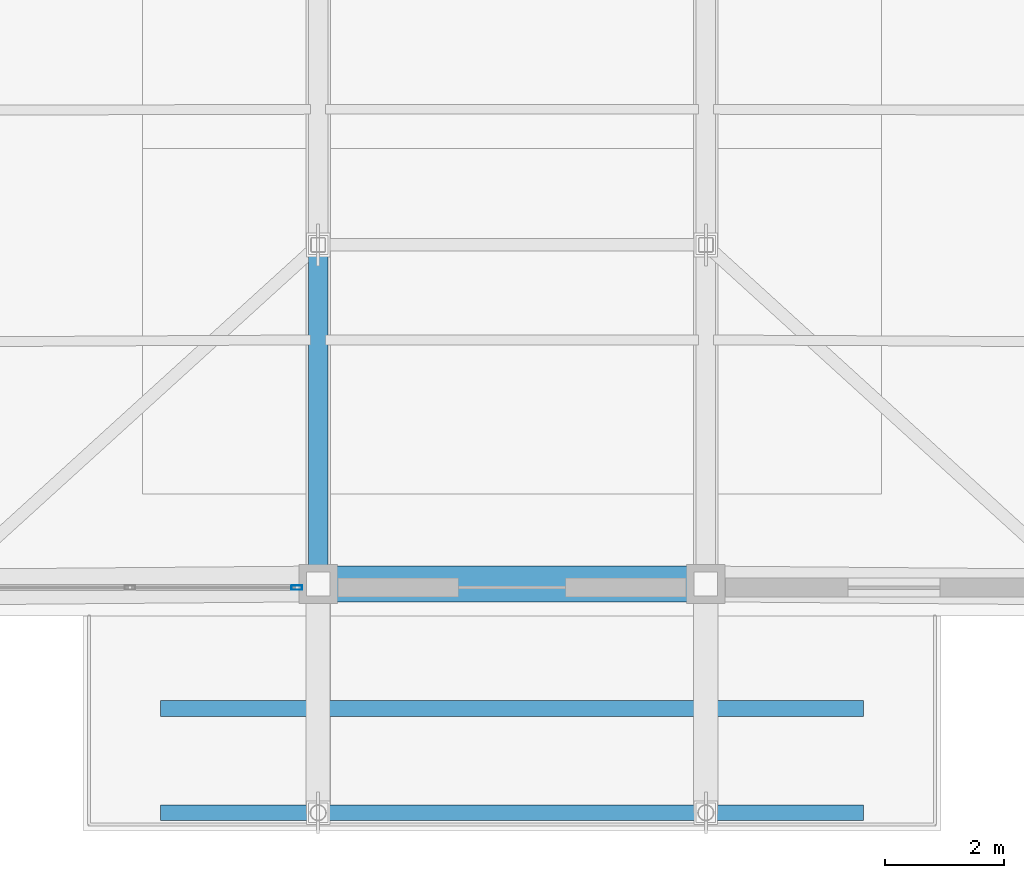
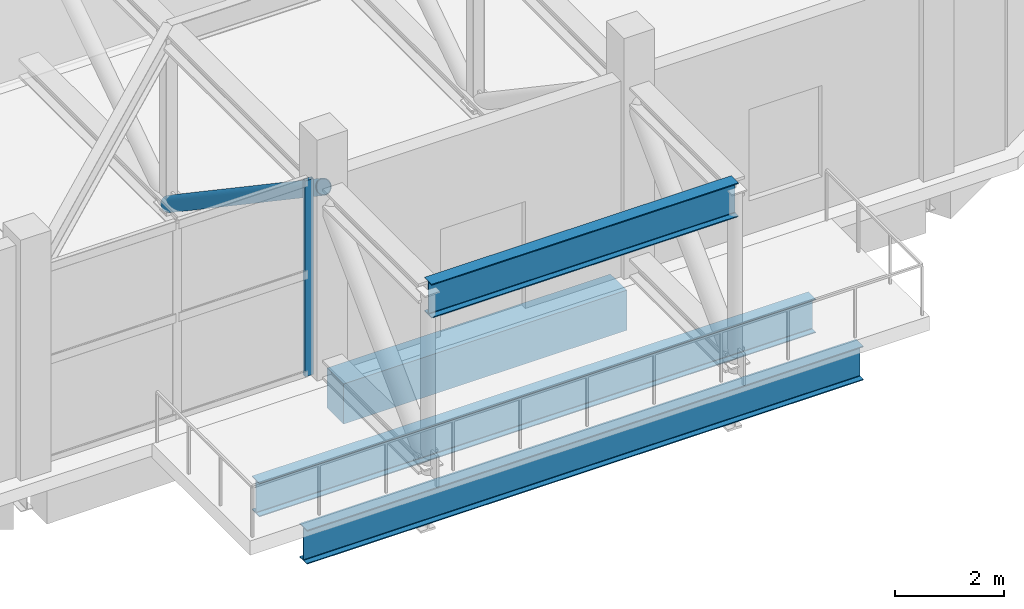
# One storey, part 5 of 23: 4 beams, 2 members, 1 element without a shape of its own.
"""IFC4 building model written with IfcOpenShell, lengths in metres."""

from ifc_helpers import new_model, si_unit, direction, frame, origin, origin_2d, place, context, subcontext, project, spatial, rectangle, hollow_rectangle, hollow_circle, i_section, extrude, material, layer, layer_set, material_profile, profile_set, type_object, element, aggregate, save


model = new_model("IFC4")

# Units and contexts
model_context = context("Model", 3, precision=1e-05, world=origin(), true_north=direction((0.0, 1.0)))
body_context = subcontext(model_context, "Body", "Model", "MODEL_VIEW")
ifc_project = project(units=[si_unit("LENGTHUNIT", "METRE"), si_unit("AREAUNIT", "SQUARE_METRE"), si_unit("VOLUMEUNIT", "CUBIC_METRE"), si_unit("PLANEANGLEUNIT", "RADIAN"), si_unit("MASSUNIT", "GRAM", prefix="KILO")], contexts=[model_context])

# Site, building, storey
site_placement = place(None, origin())
site = spatial("IfcSite", under=ifc_project, at=site_placement, CompositionType="ELEMENT")
building_placement = place(site_placement, origin())
building = spatial("IfcBuilding", under=site, at=building_placement, Name="Cinnabar Lancet Tower", CompositionType="ELEMENT")
storey_placement = place(building_placement, frame((0.0, 0.0, 278.10009765625)))
storey = spatial("IfcBuildingStorey", under=building, at=storey_placement, Name="L74", CompositionType="ELEMENT", Elevation=278.10009765625)

# Curtain wall, member
ifc_material_1 = material(Name="Thermally broken bronze-anodized aluminium and low-E glass", Category="aluminium")
ifc_layer = layer(ifc_material_1, 0.179931640625)
ifc_layer_set = layer_set([ifc_layer], Name="Thermally broken bronze-anodized aluminium and low-E glass")
curtain_wall_type = type_object("IfcCurtainWallType", Name="ENV-CW-SYS-04", PredefinedType="NOTDEFINED", material=ifc_layer_set)
curtain_wall_placement = place(storey_placement, origin())
curtain_wall = element("IfcCurtainWall", 1, at=curtain_wall_placement, inside=storey, type_object=curtain_wall_type, Name="L74 South Conservatory Curtain Wall", PredefinedType="NOTDEFINED")
ifc_material_2 = material(Name="Anodized architectural aluminium 6063-T6", Category="aluminium")
ifc_material_profile_1 = material_profile(ifc_material_2, hollow_rectangle(XDim=0.074951171875, YDim=0.179931640625, WallThickness=0.00390625, InnerFilletRadius=0.001953125, OuterFilletRadius=0.006103515625, at=origin_2d()), Name="CW-MUL 180x75x4")
ifc_profile_set_1 = profile_set([ifc_material_profile_1], Name="Anodized architectural aluminium 6063-T6")
member_type_1 = type_object("IfcMemberType", Name="ENV-CW-MUL-180", PredefinedType="MULLION", material=ifc_profile_set_1)
member_1_placement = place(storey_placement, frame((28.787109375, 7.22998046875, 0.0), z_axis=(0.0, 0.0, 1.0), x_axis=(0.0, 1.0, 0.0)))
member_1 = element("IfcMember", 2, at=member_1_placement, type_object=member_type_1, Name="CW-04 mullion 3", PredefinedType="MULLION", context=body_context, shape_type="SweptSolid", body=[
    extrude(hollow_rectangle(XDim=0.074951171875, YDim=0.179931640625, WallThickness=0.00390625, InnerFilletRadius=0.001953125, OuterFilletRadius=0.006103515625, at=origin_2d()), origin(), (0.0, 0.0, 1.0), 4.389892578125),
])
aggregate(curtain_wall, [member_1])

# Beams
ifc_material_3 = material(Name="Concrete C60/75", Category="concrete")
ifc_material_profile_2 = material_profile(ifc_material_3, rectangle(XDim=0.60009765625, YDim=0.89990234375, at=origin_2d()), Name="RC-SB 600x900")
ifc_profile_set_2 = profile_set([ifc_material_profile_2], Name="Concrete C60/75")
beam_type_1 = type_object("IfcBeamType", Name="STR-BM-RCSB-900", PredefinedType="SPANDREL", material=ifc_profile_set_2)
beam_1_placement = place(storey_placement, frame((29.39599609375, 7.2919921875, -0.72998046875), z_axis=(1.0, 0.0, 0.0), x_axis=(0.0, 1.0, 0.0)))
element("IfcBeam", 3, at=beam_1_placement, inside=storey, type_object=beam_type_1, Name="L74 Perimeter Spandrel 2", PredefinedType="SPANDREL", context=body_context, shape_type="SweptSolid", body=[
    extrude(rectangle(XDim=0.60009765625, YDim=0.89990234375, at=origin_2d()), origin(), (0.0, 0.0, 1.0), 6.008056640625),
])
ifc_material_4 = material(Name="Structural steel S355", Category="steel")
ifc_material_profile_3 = material_profile(ifc_material_4, i_section(OverallWidth=0.2666015625, OverallDepth=0.76220703125, WebThickness=0.014404296875, FlangeThickness=0.021484375, FilletRadius=0.0166015625, at=origin_2d()), Name="UKB 762x267x173")
ifc_profile_set_3 = profile_set([ifc_material_profile_3], Name="Structural steel S355")
beam_type_2 = type_object("IfcBeamType", Name="STR-BM-SP-FASCIA", PredefinedType="BEAM", material=ifc_profile_set_3)
for number, where, z_axis, x_axis, name in (
    (4, (26.5, 3.449951171875, -0.701171875), (1.0, 0.0, 0.0), (0.0, 1.0, 0.0), "L74 Sky-Pool Tip Fascia Girder"),
    (5, (26.5, 5.199951171875, -0.701171875), (1.0, 0.0, 0.0), (0.0, 1.0, 0.0), "L74 Sky-Pool Mid Transverse Girder"),
):
    element("IfcBeam", number, at=place(storey_placement, frame(where, z_axis=z_axis, x_axis=x_axis)), inside=storey, type_object=beam_type_2, Name=name, PredefinedType="BEAM", context=body_context, shape_type="SweptSolid", body=[
        extrude(i_section(OverallWidth=0.2666015625, OverallDepth=0.76220703125, WebThickness=0.014404296875, FlangeThickness=0.021484375, FilletRadius=0.0166015625, at=origin_2d()), origin(), (0.0, 0.0, 1.0), 11.800048828125),
    ])
beam_2_placement = place(storey_placement, frame((29.14599609375, 3.449951171875, 3.888916015625), z_axis=(1.0, 0.0, 0.0), x_axis=(0.0, 1.0, 0.0)))
element("IfcBeam", 6, at=beam_2_placement, inside=storey, type_object=beam_type_2, Name="L74 Sky-Pool Tip Top Strut", PredefinedType="BEAM", context=body_context, shape_type="SweptSolid", body=[
    extrude(i_section(OverallWidth=0.2666015625, OverallDepth=0.76220703125, WebThickness=0.014404296875, FlangeThickness=0.021484375, FilletRadius=0.0166015625, at=origin_2d()), origin(), (0.0, 0.0, 1.0), 6.508056640625),
])

# Member
ifc_material_5 = material(Name="Structural steel S460", Category="steel")
ifc_material_profile_4 = material_profile(ifc_material_5, hollow_circle(Radius=0.161865234375, WallThickness=0.01611328125, at=origin_2d()), Name="CHS 323.9x16")
ifc_profile_set_4 = profile_set([ifc_material_profile_4], Name="Structural steel S460")
member_type_2 = type_object("IfcMemberType", Name="STR-MEM-SP-BRC323", PredefinedType="BRACE", material=ifc_profile_set_4)
member_2_placement = place(storey_placement, frame((29.14599609375, 7.2919921875, 4.0498046875), z_axis=(0.0, 0.828951727395, -0.559320153087), x_axis=(-1.0, 0.0, 0.0)))
element("IfcMember", 7, at=member_2_placement, inside=storey, type_object=member_type_2, Name="L74 Sky-Pool Truss 1 Diagonal 2", PredefinedType="BRACE", context=body_context, shape_type="SweptSolid", body=[
    extrude(hollow_circle(Radius=0.161865234375, WallThickness=0.01611328125, at=origin_2d()), origin(), (0.0, 0.0, 1.0), 6.865234375),
])

save(model, "model.ifc")
